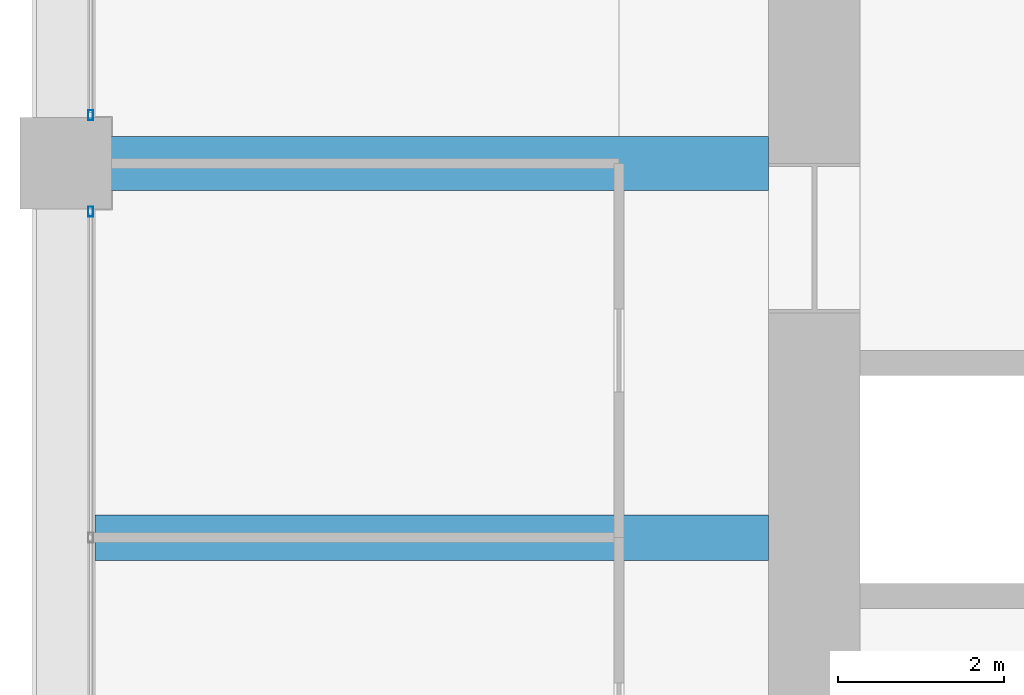
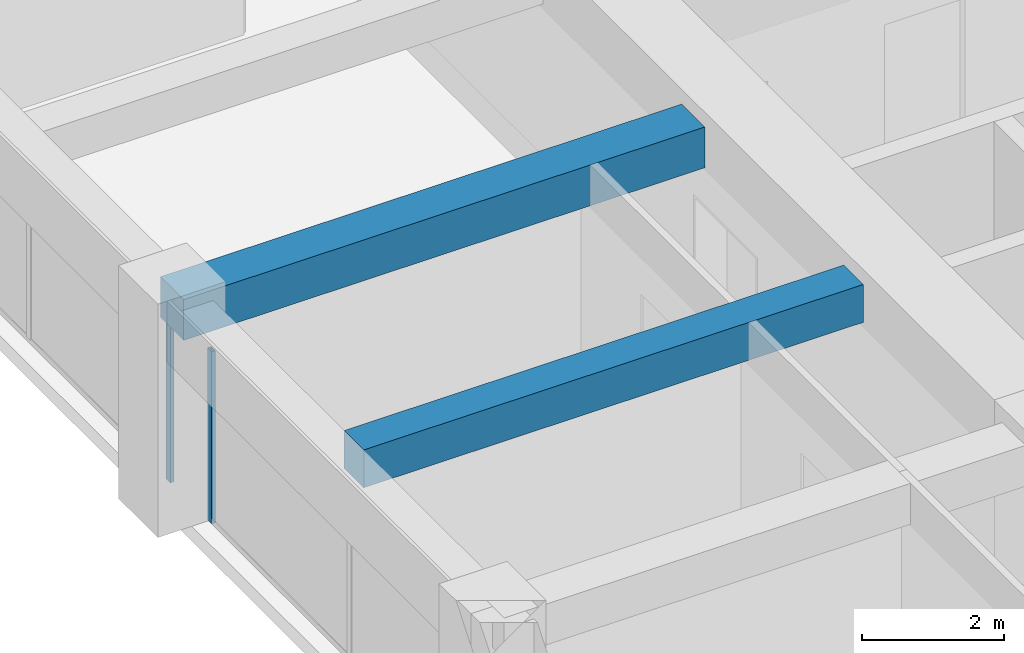
# One storey, part 15 of 45: 2 beams, 2 members, 2 elements without a shape of their own.
"""IFC4 building model written with IfcOpenShell, lengths in metres."""

from ifc_helpers import new_model, si_unit, direction, frame, origin, origin_2d, place, context, subcontext, project, spatial, rectangle, hollow_rectangle, extrude, material, material_profile, profile_set, type_object, element, aggregate, save


model = new_model("IFC4")

# Units and contexts
model_context = context("Model", 3, precision=1e-05, world=origin(), true_north=direction((0.0, 1.0)))
body_context = subcontext(model_context, "Body", "Model", "MODEL_VIEW")
ifc_project = project(units=[si_unit("LENGTHUNIT", "METRE"), si_unit("AREAUNIT", "SQUARE_METRE"), si_unit("VOLUMEUNIT", "CUBIC_METRE"), si_unit("PLANEANGLEUNIT", "RADIAN"), si_unit("MASSUNIT", "GRAM", prefix="KILO")], contexts=[model_context])

# Site, building, storey
site_placement = place(None, origin())
site = spatial("IfcSite", under=ifc_project, at=site_placement, CompositionType="ELEMENT")
building_placement = place(site_placement, origin())
building = spatial("IfcBuilding", under=site, at=building_placement, Name="Zorevar Civic Tower", CompositionType="ELEMENT")
storey_placement = place(building_placement, frame((0.0, 0.0, 291.39990234375)))
storey = spatial("IfcBuildingStorey", under=building, at=storey_placement, Name="L71", CompositionType="ELEMENT", Elevation=291.39990234375)

# Beams
ifc_material_1 = material(Name="Concrete C50/60", Category="concrete")
ifc_material_profile_1 = material_profile(ifc_material_1, rectangle(XDim=0.550048828125, YDim=0.64990234375, at=origin_2d()), Name="RC 550x650")
ifc_profile_set_1 = profile_set([ifc_material_profile_1], Name="Concrete C50/60")
beam_type_1 = type_object("IfcBeamType", Name="Beam RC 550x650", PredefinedType="BEAM", material=ifc_profile_set_1)
beam_1_placement = place(storey_placement, frame((9.35009765625, 22.5, 3.425048828125), z_axis=(1.0, 0.0, 0.0), x_axis=(0.0, 1.0, 0.0)))
element("IfcBeam", 1, at=beam_1_placement, inside=storey, type_object=beam_type_1, Name="Secondary beam L72", PredefinedType="BEAM", context=body_context, shape_type="SweptSolid", body=[
    extrude(rectangle(XDim=0.550048828125, YDim=0.64990234375, at=origin_2d()), origin(), (0.0, 0.0, 1.0), 8.099853515625),
])
ifc_material_2 = material(Name="Concrete C50/60", Category="concrete")
ifc_material_profile_2 = material_profile(ifc_material_2, rectangle(XDim=0.64990234375, YDim=0.699951171875, at=origin_2d()), Name="RC 650x700")
ifc_profile_set_2 = profile_set([ifc_material_profile_2], Name="Concrete C50/60")
beam_type_2 = type_object("IfcBeamType", Name="Beam RC 650x700", PredefinedType="BEAM", material=ifc_profile_set_2)
beam_2_placement = place(storey_placement, frame((9.0, 27.0, 3.400146484375), z_axis=(1.0, 0.0, 0.0), x_axis=(0.0, 1.0, 0.0)))
element("IfcBeam", 2, at=beam_2_placement, inside=storey, type_object=beam_type_2, Name="Girder L72", PredefinedType="BEAM", context=body_context, shape_type="SweptSolid", body=[
    extrude(rectangle(XDim=0.64990234375, YDim=0.699951171875, at=origin_2d()), origin(), (0.0, 0.0, 1.0), 8.449951171875),
])

# Curtain wall, member
ifc_material_3 = material(Name="Dark grey solar-control glass in black aluminium frame", Category="aluminium")
curtain_wall_type = type_object("IfcCurtainWallType", Name="Curtain wall CW5 top zone", PredefinedType="NOTDEFINED", material=ifc_material_3)
curtain_wall_1_placement = place(storey_placement, origin())
curtain_wall_1 = element("IfcCurtainWall", 3, at=curtain_wall_1_placement, inside=storey, type_object=curtain_wall_type, Name="CW5 L71", PredefinedType="NOTDEFINED")
ifc_material_4 = material(Name="Aluminium, black anodised", Category="aluminium")
ifc_material_profile_3 = material_profile(ifc_material_4, hollow_rectangle(XDim=0.06005859375, YDim=0.1201171875, WallThickness=0.0029296875, at=origin_2d()), Name="AL 120x60x3")
ifc_profile_set_3 = profile_set([ifc_material_profile_3], Name="Aluminium, black anodised")
member_type = type_object("IfcMemberType", Name="CW5 mullion AL 120x60x3", PredefinedType="MULLION", material=ifc_profile_set_3)
member_1_placement = place(storey_placement, frame((9.300048828125, 26.419921875, 0.0), z_axis=(0.0, 0.0, 1.0), x_axis=(-1.0, 0.0, 0.0)))
member_1 = element("IfcMember", 4, at=member_1_placement, type_object=member_type, Name="CW5 mullion 3", PredefinedType="MULLION", context=body_context, shape_type="SweptSolid", body=[
    extrude(hollow_rectangle(XDim=0.06005859375, YDim=0.1201171875, WallThickness=0.0029296875, at=origin_2d()), origin(), (0.0, 0.0, 1.0), 2.9501953125),
])
aggregate(curtain_wall_1, [member_1])

curtain_wall_2_placement = place(storey_placement, origin())
curtain_wall_2 = element("IfcCurtainWall", 5, at=curtain_wall_2_placement, inside=storey, type_object=curtain_wall_type, Name="CW5 L71", PredefinedType="NOTDEFINED")
member_2_placement = place(storey_placement, frame((9.300048828125, 27.580078125, 0.0), z_axis=(0.0, 0.0, 1.0), x_axis=(-1.0, 0.0, 0.0)))
member_2 = element("IfcMember", 6, at=member_2_placement, type_object=member_type, Name="CW5 mullion 1", PredefinedType="MULLION", context=body_context, shape_type="SweptSolid", body=[
    extrude(hollow_rectangle(XDim=0.06005859375, YDim=0.1201171875, WallThickness=0.0029296875, at=origin_2d()), origin(), (0.0, 0.0, 1.0), 2.9501953125),
])
aggregate(curtain_wall_2, [member_2])

save(model, "model.ifc")
